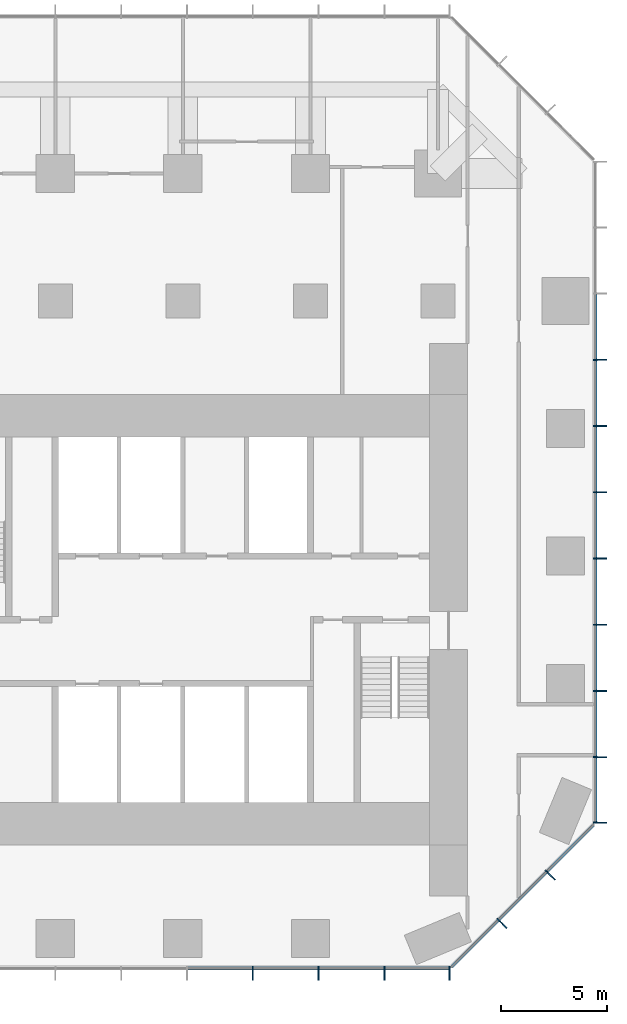
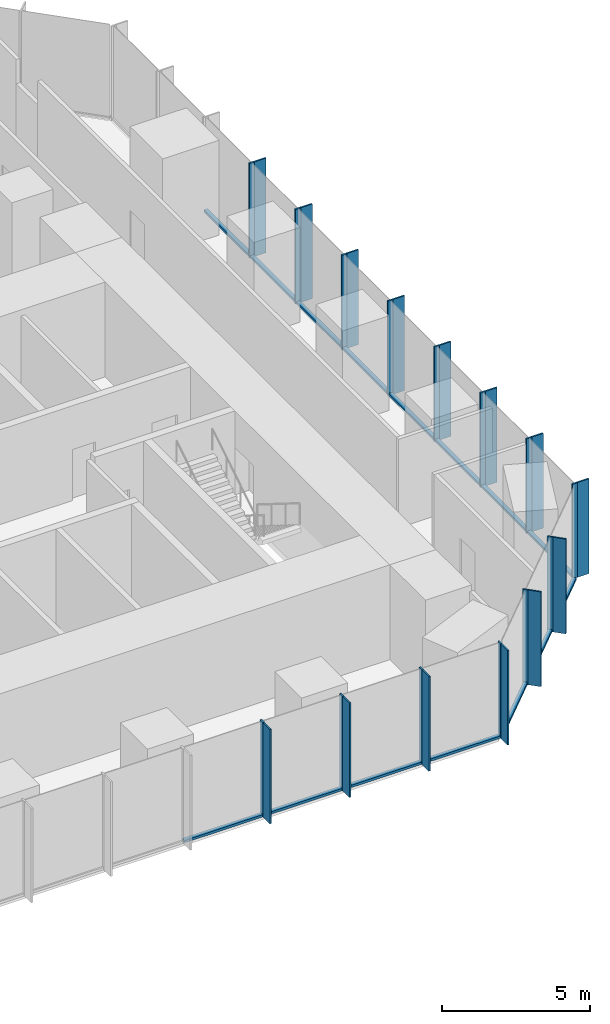
# One storey, part 4 of 11: 43 members, 3 elements without a shape of their own.
"""IFC4 building model written with IfcOpenShell, lengths in metres."""

import ifcopenshell
import ifcopenshell.guid

model = None  # the IFC model being written
_history = None  # IfcOwnerHistory: only IFC2X3 demands one
_inside = {}  # id of a spatial element -> (the spatial element, [elements in it])
_under = {}  # id of a project, library or spatial element -> (it, [spatial elements below it])
_declared = {}  # id of a project -> (the project, [libraries it declares])
_typed = {}  # id of a type object -> (the type object, [elements of that type])
_made_of = {}  # id of a material, layer set ... -> (it, [elements and type objects made of it])


def new_model(schema):
    """Start an empty IFC model of exactly this schema.

    Asked for "IFC4X3", IfcOpenShell would pick the latest addendum, in which some entities
    have other attributes; the version numbers below select the first issue.
    IFC2X3 requires an IfcOwnerHistory on every rooted entity: one is made here for all.
    """
    global model, _history
    if schema == "IFC4X3":
        model = ifcopenshell.file(schema_version=(4, 3, 0, 0))
    else:
        model = ifcopenshell.file(schema=schema)
    _inside.clear()
    _under.clear()
    _declared.clear()
    _typed.clear()
    _made_of.clear()
    _history = None
    if model.schema == "IFC2X3":
        org = make("IfcOrganization", Name="unknown")
        user = make(
            "IfcPersonAndOrganization",
            ThePerson=make("IfcPerson", FamilyName="unknown"),
            TheOrganization=org,
        )
        app = make(
            "IfcApplication",
            ApplicationDeveloper=org,
            Version="unknown",
            ApplicationFullName="unknown",
            ApplicationIdentifier="unknown",
        )
        _history = make(
            "IfcOwnerHistory",
            OwningUser=user,
            OwningApplication=app,
            ChangeAction="ADDED",
            CreationDate=0,
        )
    return model


def make(cls, **values):
    """One entity of the class cls with the attributes given. An attribute that is None is left unset."""
    return model.create_entity(
        cls, **{name: value for name, value in values.items() if value is not None}
    )


def rooted(cls, **values):
    """An entity with a GlobalId (a new one), such as an element, a storey or a relation."""
    return make(cls, GlobalId=ifcopenshell.guid.new(), OwnerHistory=_history, **values)


def si_unit(unit_type, name, prefix=None):
    """IfcSIUnit, for example si_unit("LENGTHUNIT", "METRE", prefix="MILLI")."""
    return make("IfcSIUnit", UnitType=unit_type, Prefix=prefix, Name=name)


def assignment(units):
    """IfcUnitAssignment: the units of a project."""
    return None if units is None else make("IfcUnitAssignment", Units=units)


def point(xyz):
    """IfcCartesianPoint."""
    return None if xyz is None else make("IfcCartesianPoint", Coordinates=xyz)


def direction(xyz):
    """IfcDirection."""
    return None if xyz is None else make("IfcDirection", DirectionRatios=xyz)


def frame(location, z_axis=None, x_axis=None):
    """IfcAxis2Placement3D, a coordinate frame: its origin and axes. An axis left out is left unset."""
    return make(
        "IfcAxis2Placement3D",
        Location=point(location),
        Axis=direction(z_axis),
        RefDirection=direction(x_axis),
    )


def frame_2d(location, x_axis=None):
    """IfcAxis2Placement2D, a coordinate frame in the plane: its origin and x axis."""
    return make(
        "IfcAxis2Placement2D", Location=point(location), RefDirection=direction(x_axis)
    )


def origin():
    """The frame at (0, 0, 0) with its axes left unset."""
    return frame((0.0, 0.0, 0.0))


def origin_2d():
    """The frame at (0, 0) in the plane with its x axis left unset."""
    return frame_2d((0.0, 0.0))


def place(relative_to, where):
    """IfcLocalPlacement: puts the frame where relative to a parent placement (None: the world)."""
    return make(
        "IfcLocalPlacement", PlacementRelTo=relative_to, RelativePlacement=where
    )


def context(
    kind, dimensions, precision=None, world=None, true_north=None, identifier=None
):
    """IfcGeometricRepresentationContext, for example the 3D "Model" context."""
    return make(
        "IfcGeometricRepresentationContext",
        ContextIdentifier=identifier,
        ContextType=kind,
        CoordinateSpaceDimension=dimensions,
        Precision=precision,
        WorldCoordinateSystem=world,
        TrueNorth=true_north,
    )


def subcontext(parent, identifier, kind, view, scale=None):
    """IfcGeometricRepresentationSubContext, for example "Body" below "Model"."""
    return make(
        "IfcGeometricRepresentationSubContext",
        ContextIdentifier=identifier,
        ContextType=kind,
        ParentContext=parent,
        TargetScale=scale,
        TargetView=view,
    )


def project(units=None, contexts=None):
    """IfcProject with its units and contexts."""
    return rooted(
        "IfcProject",
        Name="project",
        RepresentationContexts=contexts,
        UnitsInContext=assignment(units),
    )


def spatial(cls, under=None, at=None, **own):
    """A site, building, storey or space (cls), placed at a placement, below another one or the project."""
    s = rooted(cls, ObjectPlacement=at, **own)
    if under is not None:
        _under.setdefault(under.id(), (under, []))[1].append(s)
    return s


def profile(cls, at=None, kind="AREA", **sizes):
    """A parametric profile (cls). Its sizes go by their IFC names, for example OverallWidth=200.0."""
    return make(cls, ProfileType=kind, Position=at, **sizes)


def rectangle(**sizes):
    """IfcRectangleProfileDef."""
    return profile("IfcRectangleProfileDef", **sizes)


def extrude(swept, where, along, depth):
    """IfcExtrudedAreaSolid: the profile swept, set in the frame where, extruded along a direction by depth."""
    return make(
        "IfcExtrudedAreaSolid",
        SweptArea=swept,
        Position=where,
        ExtrudedDirection=direction(along),
        Depth=depth,
    )


def shape(context_of_items, identifier, shape_type, items):
    """IfcShapeRepresentation: the items that make up one representation, for example the "Body"."""
    return make(
        "IfcShapeRepresentation",
        ContextOfItems=context_of_items,
        RepresentationIdentifier=identifier,
        RepresentationType=shape_type,
        Items=items,
    )


def material(Name=None, Category=None):
    """IfcMaterial."""
    return make("IfcMaterial", Name=Name, Category=Category)


def layer(
    of_material, thickness, ventilated=None, Name=None, Category=None, Priority=None
):
    """IfcMaterialLayer: one layer of a wall or slab, of a material (None: an air gap)."""
    return make(
        "IfcMaterialLayer",
        Material=of_material,
        LayerThickness=thickness,
        IsVentilated=ventilated,
        Name=Name,
        Category=Category,
        Priority=Priority,
    )


def layer_set(layers, Name=None):
    """IfcMaterialLayerSet."""
    return make("IfcMaterialLayerSet", MaterialLayers=layers, LayerSetName=Name)


def material_profile(
    of_material, cross_section, Name=None, Category=None, Priority=None
):
    """IfcMaterialProfile: a cross section and its material."""
    return make(
        "IfcMaterialProfile",
        Name=Name,
        Material=of_material,
        Profile=cross_section,
        Priority=Priority,
        Category=Category,
    )


def profile_set(profiles, Name=None, composite=None):
    """IfcMaterialProfileSet."""
    return make(
        "IfcMaterialProfileSet",
        Name=Name,
        MaterialProfiles=profiles,
        CompositeProfile=composite,
    )


def made_of(thing, what):
    """Note that an element or type object is made of a material, layer set ...; save() writes the relation."""
    if what is not None:
        _made_of.setdefault(what.id(), (what, []))[1].append(thing)
    return thing


def type_object(cls, material=None, **own):
    """A type object (cls), such as IfcWallType, which elements share."""
    return made_of(rooted(cls, **own), material)


def element(
    cls,
    number,
    at=None,
    inside=None,
    cuts=None,
    type_object=None,
    material=None,
    context=None,
    identifier="Body",
    shape_type=None,
    held_by="IfcProductDefinitionShape",
    body=None,
    shapes=None,
    **own,
):
    """One element of the class cls, such as IfcWall. Its Tag is "e" and its number.

    at: its placement. inside: the storey or other place that contains it. cuts: it is an
    opening in that element (IfcRelVoidsElement). A single representation is given by context,
    identifier, shape_type and body (its items); several are given by shapes. held_by: the class
    of the entity that holds the representations. save() writes the other relations.
    """
    e = rooted(cls, Tag="e%d" % number, ObjectPlacement=at, **own)
    if body is not None:
        shapes = [shape(context, identifier, shape_type, body)]
    if shapes is not None:
        e.Representation = make(held_by, Representations=shapes)
    if inside is not None:
        _inside.setdefault(inside.id(), (inside, []))[1].append(e)
    if cuts is not None:
        rooted(
            "IfcRelVoidsElement", RelatingBuildingElement=cuts, RelatedOpeningElement=e
        )
    if type_object is not None:
        _typed.setdefault(type_object.id(), (type_object, []))[1].append(e)
    return made_of(e, material)


def aggregate(whole, parts):
    """IfcRelAggregates: a whole, such as a stair, and the parts it consists of."""
    return rooted("IfcRelAggregates", RelatingObject=whole, RelatedObjects=parts)


def save(model, path):
    """Write the relations noted so far, then the file.

    IfcRelAggregates (storeys below a building ...), IfcRelContainedInSpatialStructure (elements
    in a storey), IfcRelDefinesByType, IfcRelAssociatesMaterial and IfcRelDeclares: one each for
    every whole, place, type object, material and project.
    """
    for whole, parts in _under.values():
        aggregate(whole, parts)
    for where, things in _inside.values():
        rooted(
            "IfcRelContainedInSpatialStructure",
            RelatedElements=things,
            RelatingStructure=where,
        )
    for kind, things in _typed.values():
        rooted("IfcRelDefinesByType", RelatedObjects=things, RelatingType=kind)
    for what, things in _made_of.values():
        rooted("IfcRelAssociatesMaterial", RelatedObjects=things, RelatingMaterial=what)
    for by, libraries in _declared.values():
        rooted("IfcRelDeclares", RelatingContext=by, RelatedDefinitions=libraries)
    model.write(path)


model = new_model("IFC4")

# Units and contexts
model_context = context("Model", 3, precision=1e-05, world=origin(), true_north=direction((0.0, 1.0)))
body_context = subcontext(model_context, "Body", "Model", "MODEL_VIEW")
ifc_project = project(units=[si_unit("LENGTHUNIT", "METRE"), si_unit("AREAUNIT", "SQUARE_METRE"), si_unit("VOLUMEUNIT", "CUBIC_METRE"), si_unit("PLANEANGLEUNIT", "RADIAN"), si_unit("MASSUNIT", "GRAM", prefix="KILO")], contexts=[model_context])

# Site, building, storey
site_placement = place(None, origin())
site = spatial("IfcSite", under=ifc_project, at=site_placement, CompositionType="ELEMENT")
building_placement = place(site_placement, origin())
building = spatial("IfcBuilding", under=site, at=building_placement, Name="Highveld Stack Headquarters", CompositionType="ELEMENT")
storey_placement = place(building_placement, frame((0.0, 0.0, 97.699951171875)))
storey = spatial("IfcBuildingStorey", under=building, at=storey_placement, Name="L23", CompositionType="ELEMENT", Elevation=97.699951171875)

# Curtain wall, members
ifc_material_1 = material(Name="Aluminium bronze anodised", Category="aluminium")
ifc_layer_1 = layer(ifc_material_1, 0.199951171875)
ifc_layer_set_1 = layer_set([ifc_layer_1], Name="Aluminium bronze anodised")
curtain_wall_type_1 = type_object("IfcCurtainWallType", Name="CW1 TOWER UNITISED CURTAIN WALL", PredefinedType="NOTDEFINED", material=ifc_layer_set_1)
curtain_wall_1_placement = place(storey_placement, origin())
curtain_wall_1 = element("IfcCurtainWall", 1, at=curtain_wall_1_placement, inside=storey, type_object=curtain_wall_type_1, Name="Curtain wall CW1 L23 S", PredefinedType="NOTDEFINED")
ifc_material_2 = material(Name="Aluminium bronze anodised", Category="aluminium")
ifc_material_profile_1 = material_profile(ifc_material_2, rectangle(XDim=0.449951171875, YDim=0.06005859375, at=origin_2d()), Name="FIN 450x60")
ifc_profile_set_1 = profile_set([ifc_material_profile_1], Name="Aluminium bronze anodised")
member_type_1 = type_object("IfcMemberType", Name="CW1 BRONZE FIN 450x60", PredefinedType="USERDEFINED", material=ifc_profile_set_1)
member_1_placement = place(storey_placement, frame((9.2900390625, -13.72509765625, 0.0), z_axis=(0.0, 0.0, 1.0), x_axis=(0.0, 1.0, 0.0)))
member_1 = element("IfcMember", 2, at=member_1_placement, type_object=member_type_1, Name="CW1 fin L23 10", ObjectType="FIN", PredefinedType="USERDEFINED", context=body_context, shape_type="SweptSolid", body=[
    extrude(rectangle(XDim=0.449951171875, YDim=0.06005859375, at=origin_2d()), origin(), (0.0, 0.0, 1.0), 3.900146484375),
])
member_2_placement = place(storey_placement, frame((12.38671875, -13.72509765625, 0.0), z_axis=(0.0, 0.0, 1.0), x_axis=(0.0, 1.0, 0.0)))
member_2 = element("IfcMember", 3, at=member_2_placement, type_object=member_type_1, Name="CW1 fin L23 11", ObjectType="FIN", PredefinedType="USERDEFINED", context=body_context, shape_type="SweptSolid", body=[
    extrude(rectangle(XDim=0.449951171875, YDim=0.06005859375, at=origin_2d()), origin(), (0.0, 0.0, 1.0), 3.900146484375),
])
member_3_placement = place(storey_placement, frame((15.4833984375, -13.72509765625, 0.0), z_axis=(0.0, 0.0, 1.0), x_axis=(0.0, 1.0, 0.0)))
member_3 = element("IfcMember", 4, at=member_3_placement, type_object=member_type_1, Name="CW1 fin L23 12", ObjectType="FIN", PredefinedType="USERDEFINED", context=body_context, shape_type="SweptSolid", body=[
    extrude(rectangle(XDim=0.449951171875, YDim=0.06005859375, at=origin_2d()), origin(), (0.0, 0.0, 1.0), 3.900146484375),
])
member_4_placement = place(storey_placement, frame((18.54736328125, -13.72509765625, 0.0), z_axis=(0.0, 0.0, 1.0), x_axis=(0.0, 1.0, 0.0)))
member_4 = element("IfcMember", 5, at=member_4_placement, type_object=member_type_1, Name="CW1 fin L23 13", ObjectType="FIN", PredefinedType="USERDEFINED", context=body_context, shape_type="SweptSolid", body=[
    extrude(rectangle(XDim=0.449951171875, YDim=0.06005859375, at=origin_2d()), origin(), (0.0, 0.0, 1.0), 3.900146484375),
])

curtain_wall_2_placement = place(storey_placement, origin())
curtain_wall_2 = element("IfcCurtainWall", 6, at=curtain_wall_2_placement, inside=storey, type_object=curtain_wall_type_1, Name="Curtain wall CW1 L23 E", PredefinedType="NOTDEFINED")
member_5_placement = place(storey_placement, frame((25.72509765625, -6.54736328125, 0.0), z_axis=(0.0, 0.0, 1.0), x_axis=(-1.0, 0.0, 0.0)))
member_5 = element("IfcMember", 7, at=member_5_placement, type_object=member_type_1, Name="CW1 fin L23 1", ObjectType="FIN", PredefinedType="USERDEFINED", context=body_context, shape_type="SweptSolid", body=[
    extrude(rectangle(XDim=0.449951171875, YDim=0.06005859375, at=origin_2d()), origin(), (0.0, 0.0, 1.0), 3.900146484375),
])
member_6_placement = place(storey_placement, frame((25.72509765625, -3.4638671875, 0.0), z_axis=(0.0, 0.0, 1.0), x_axis=(-1.0, 0.0, 0.0)))
member_6 = element("IfcMember", 8, at=member_6_placement, type_object=member_type_1, Name="CW1 fin L23 2", ObjectType="FIN", PredefinedType="USERDEFINED", context=body_context, shape_type="SweptSolid", body=[
    extrude(rectangle(XDim=0.449951171875, YDim=0.06005859375, at=origin_2d()), origin(), (0.0, 0.0, 1.0), 3.900146484375),
])
member_7_placement = place(storey_placement, frame((25.72509765625, -0.347900390625, 0.0), z_axis=(0.0, 0.0, 1.0), x_axis=(-1.0, 0.0, 0.0)))
member_7 = element("IfcMember", 9, at=member_7_placement, type_object=member_type_1, Name="CW1 fin L23 3", ObjectType="FIN", PredefinedType="USERDEFINED", context=body_context, shape_type="SweptSolid", body=[
    extrude(rectangle(XDim=0.449951171875, YDim=0.06005859375, at=origin_2d()), origin(), (0.0, 0.0, 1.0), 3.900146484375),
])
member_8_placement = place(storey_placement, frame((25.72509765625, 2.76806640625, 0.0), z_axis=(0.0, 0.0, 1.0), x_axis=(-1.0, 0.0, 0.0)))
member_8 = element("IfcMember", 10, at=member_8_placement, type_object=member_type_1, Name="CW1 fin L23 4", ObjectType="FIN", PredefinedType="USERDEFINED", context=body_context, shape_type="SweptSolid", body=[
    extrude(rectangle(XDim=0.449951171875, YDim=0.06005859375, at=origin_2d()), origin(), (0.0, 0.0, 1.0), 3.900146484375),
])
member_9_placement = place(storey_placement, frame((25.72509765625, 5.884033203125, 0.0), z_axis=(0.0, 0.0, 1.0), x_axis=(-1.0, 0.0, 0.0)))
member_9 = element("IfcMember", 11, at=member_9_placement, type_object=member_type_1, Name="CW1 fin L23 5", ObjectType="FIN", PredefinedType="USERDEFINED", context=body_context, shape_type="SweptSolid", body=[
    extrude(rectangle(XDim=0.449951171875, YDim=0.06005859375, at=origin_2d()), origin(), (0.0, 0.0, 1.0), 3.900146484375),
])
member_10_placement = place(storey_placement, frame((25.72509765625, 9.0, 0.0), z_axis=(0.0, 0.0, 1.0), x_axis=(-1.0, 0.0, 0.0)))
member_10 = element("IfcMember", 12, at=member_10_placement, type_object=member_type_1, Name="CW1 fin L23 6", ObjectType="FIN", PredefinedType="USERDEFINED", context=body_context, shape_type="SweptSolid", body=[
    extrude(rectangle(XDim=0.449951171875, YDim=0.06005859375, at=origin_2d()), origin(), (0.0, 0.0, 1.0), 3.900146484375),
])
member_11_placement = place(storey_placement, frame((25.72509765625, 12.115966796875, 0.0), z_axis=(0.0, 0.0, 1.0), x_axis=(-1.0, 0.0, 0.0)))
member_11 = element("IfcMember", 13, at=member_11_placement, type_object=member_type_1, Name="CW1 fin L23 7", ObjectType="FIN", PredefinedType="USERDEFINED", context=body_context, shape_type="SweptSolid", body=[
    extrude(rectangle(XDim=0.449951171875, YDim=0.06005859375, at=origin_2d()), origin(), (0.0, 0.0, 1.0), 3.900146484375),
])
member_12_placement = place(storey_placement, frame((25.72509765625, 15.23193359375, 0.0), z_axis=(0.0, 0.0, 1.0), x_axis=(-1.0, 0.0, 0.0)))
member_12 = element("IfcMember", 14, at=member_12_placement, type_object=member_type_1, Name="CW1 fin L23 8", ObjectType="FIN", PredefinedType="USERDEFINED", context=body_context, shape_type="SweptSolid", body=[
    extrude(rectangle(XDim=0.449951171875, YDim=0.06005859375, at=origin_2d()), origin(), (0.0, 0.0, 1.0), 3.900146484375),
])

# Member
ifc_material_3 = material(Name="Aluminium bronze anodised", Category="aluminium")
ifc_material_profile_2 = material_profile(ifc_material_3, rectangle(XDim=0.199951171875, YDim=0.06494140625, at=origin_2d()), Name="CW1 MULLION 65x200")
ifc_profile_set_2 = profile_set([ifc_material_profile_2], Name="Aluminium bronze anodised")
member_type_2 = type_object("IfcMemberType", Name="CW1 MULLION 65x200", PredefinedType="MULLION", material=ifc_profile_set_2)
member_13_placement = place(storey_placement, frame((9.2900390625, -13.39990234375, 0.0), z_axis=(0.0, 0.0, 1.0), x_axis=(0.0, 1.0, 0.0)))
member_13 = element("IfcMember", 15, at=member_13_placement, type_object=member_type_2, Name="CW1 mullion L23 10", PredefinedType="MULLION", context=body_context, shape_type="SweptSolid", body=[
    extrude(rectangle(XDim=0.199951171875, YDim=0.06494140625, at=origin_2d()), origin(), (0.0, 0.0, 1.0), 3.900146484375),
])

member_14_placement = place(storey_placement, frame((12.38671875, -13.39990234375, 0.0), z_axis=(0.0, 0.0, 1.0), x_axis=(0.0, 1.0, 0.0)))
member_14 = element("IfcMember", 16, at=member_14_placement, type_object=member_type_2, Name="CW1 mullion L23 11", PredefinedType="MULLION", context=body_context, shape_type="SweptSolid", body=[
    extrude(rectangle(XDim=0.199951171875, YDim=0.06494140625, at=origin_2d()), origin(), (0.0, 0.0, 1.0), 3.900146484375),
])

member_15_placement = place(storey_placement, frame((15.4833984375, -13.39990234375, 0.0), z_axis=(0.0, 0.0, 1.0), x_axis=(0.0, 1.0, 0.0)))
member_15 = element("IfcMember", 17, at=member_15_placement, type_object=member_type_2, Name="CW1 mullion L23 12", PredefinedType="MULLION", context=body_context, shape_type="SweptSolid", body=[
    extrude(rectangle(XDim=0.199951171875, YDim=0.06494140625, at=origin_2d()), origin(), (0.0, 0.0, 1.0), 3.900146484375),
])

member_16_placement = place(storey_placement, frame((18.54736328125, -13.39990234375, 0.0), z_axis=(0.0, 0.0, 1.0), x_axis=(0.0, 1.0, 0.0)))
member_16 = element("IfcMember", 18, at=member_16_placement, type_object=member_type_2, Name="CW1 mullion L23 13", PredefinedType="MULLION", context=body_context, shape_type="SweptSolid", body=[
    extrude(rectangle(XDim=0.199951171875, YDim=0.06494140625, at=origin_2d()), origin(), (0.0, 0.0, 1.0), 3.900146484375),
])

member_17_placement = place(storey_placement, frame((25.39990234375, -6.54736328125, 0.0), z_axis=(0.0, 0.0, 1.0), x_axis=(-1.0, 0.0, 0.0)))
member_17 = element("IfcMember", 19, at=member_17_placement, type_object=member_type_2, Name="CW1 mullion L23 1", PredefinedType="MULLION", context=body_context, shape_type="SweptSolid", body=[
    extrude(rectangle(XDim=0.199951171875, YDim=0.06494140625, at=origin_2d()), origin(), (0.0, 0.0, 1.0), 3.900146484375),
])

member_18_placement = place(storey_placement, frame((25.39990234375, -3.4638671875, 0.0), z_axis=(0.0, 0.0, 1.0), x_axis=(-1.0, 0.0, 0.0)))
member_18 = element("IfcMember", 20, at=member_18_placement, type_object=member_type_2, Name="CW1 mullion L23 2", PredefinedType="MULLION", context=body_context, shape_type="SweptSolid", body=[
    extrude(rectangle(XDim=0.199951171875, YDim=0.06494140625, at=origin_2d()), origin(), (0.0, 0.0, 1.0), 3.900146484375),
])

member_19_placement = place(storey_placement, frame((25.39990234375, -0.347900390625, 0.0), z_axis=(0.0, 0.0, 1.0), x_axis=(-1.0, 0.0, 0.0)))
member_19 = element("IfcMember", 21, at=member_19_placement, type_object=member_type_2, Name="CW1 mullion L23 3", PredefinedType="MULLION", context=body_context, shape_type="SweptSolid", body=[
    extrude(rectangle(XDim=0.199951171875, YDim=0.06494140625, at=origin_2d()), origin(), (0.0, 0.0, 1.0), 3.900146484375),
])

member_20_placement = place(storey_placement, frame((25.39990234375, 2.76806640625, 0.0), z_axis=(0.0, 0.0, 1.0), x_axis=(-1.0, 0.0, 0.0)))
member_20 = element("IfcMember", 22, at=member_20_placement, type_object=member_type_2, Name="CW1 mullion L23 4", PredefinedType="MULLION", context=body_context, shape_type="SweptSolid", body=[
    extrude(rectangle(XDim=0.199951171875, YDim=0.06494140625, at=origin_2d()), origin(), (0.0, 0.0, 1.0), 3.900146484375),
])

member_21_placement = place(storey_placement, frame((25.39990234375, 5.884033203125, 0.0), z_axis=(0.0, 0.0, 1.0), x_axis=(-1.0, 0.0, 0.0)))
member_21 = element("IfcMember", 23, at=member_21_placement, type_object=member_type_2, Name="CW1 mullion L23 5", PredefinedType="MULLION", context=body_context, shape_type="SweptSolid", body=[
    extrude(rectangle(XDim=0.199951171875, YDim=0.06494140625, at=origin_2d()), origin(), (0.0, 0.0, 1.0), 3.900146484375),
])

member_22_placement = place(storey_placement, frame((25.39990234375, 9.0, 0.0), z_axis=(0.0, 0.0, 1.0), x_axis=(-1.0, 0.0, 0.0)))
member_22 = element("IfcMember", 24, at=member_22_placement, type_object=member_type_2, Name="CW1 mullion L23 6", PredefinedType="MULLION", context=body_context, shape_type="SweptSolid", body=[
    extrude(rectangle(XDim=0.199951171875, YDim=0.06494140625, at=origin_2d()), origin(), (0.0, 0.0, 1.0), 3.900146484375),
])

member_23_placement = place(storey_placement, frame((25.39990234375, 12.115966796875, 0.0), z_axis=(0.0, 0.0, 1.0), x_axis=(-1.0, 0.0, 0.0)))
member_23 = element("IfcMember", 25, at=member_23_placement, type_object=member_type_2, Name="CW1 mullion L23 7", PredefinedType="MULLION", context=body_context, shape_type="SweptSolid", body=[
    extrude(rectangle(XDim=0.199951171875, YDim=0.06494140625, at=origin_2d()), origin(), (0.0, 0.0, 1.0), 3.900146484375),
])

member_24_placement = place(storey_placement, frame((25.39990234375, 15.23193359375, 0.0), z_axis=(0.0, 0.0, 1.0), x_axis=(-1.0, 0.0, 0.0)))
member_24 = element("IfcMember", 26, at=member_24_placement, type_object=member_type_2, Name="CW1 mullion L23 8", PredefinedType="MULLION", context=body_context, shape_type="SweptSolid", body=[
    extrude(rectangle(XDim=0.199951171875, YDim=0.06494140625, at=origin_2d()), origin(), (0.0, 0.0, 1.0), 3.900146484375),
])

ifc_material_4 = material(Name="Aluminium bronze anodised", Category="aluminium")
ifc_material_profile_3 = material_profile(ifc_material_4, rectangle(XDim=0.14990234375, YDim=0.10009765625, at=origin_2d()), Name="CW1 TRANSOM 150x100")
ifc_profile_set_3 = profile_set([ifc_material_profile_3], Name="Aluminium bronze anodised")
member_type_3 = type_object("IfcMemberType", Name="CW1 STACK TRANSOM 150x100", PredefinedType="USERDEFINED", material=ifc_profile_set_3)
member_25_placement = place(storey_placement, frame((6.225830078125, -13.39990234375, 0.050048828125), z_axis=(1.0, 0.0, 0.0), x_axis=(0.0, 1.0, 0.0)))
member_25 = element("IfcMember", 27, at=member_25_placement, type_object=member_type_3, Name="CW1 transom L23 9.1", ObjectType="TRANSOM", PredefinedType="USERDEFINED", context=body_context, shape_type="SweptSolid", body=[
    extrude(rectangle(XDim=0.14990234375, YDim=0.10009765625, at=origin_2d()), origin(), (0.0, 0.0, 1.0), 3.03173828125),
])

member_26_placement = place(storey_placement, frame((9.322509765625, -13.39990234375, 0.050048828125), z_axis=(1.0, 0.0, 0.0), x_axis=(0.0, 1.0, 0.0)))
member_26 = element("IfcMember", 28, at=member_26_placement, type_object=member_type_3, Name="CW1 transom L23 10.1", ObjectType="TRANSOM", PredefinedType="USERDEFINED", context=body_context, shape_type="SweptSolid", body=[
    extrude(rectangle(XDim=0.14990234375, YDim=0.10009765625, at=origin_2d()), origin(), (0.0, 0.0, 1.0), 3.031494140625),
])

member_27_placement = place(storey_placement, frame((12.419189453125, -13.39990234375, 0.050048828125), z_axis=(1.0, 0.0, 0.0), x_axis=(0.0, 1.0, 0.0)))
member_27 = element("IfcMember", 29, at=member_27_placement, type_object=member_type_3, Name="CW1 transom L23 11.1", ObjectType="TRANSOM", PredefinedType="USERDEFINED", context=body_context, shape_type="SweptSolid", body=[
    extrude(rectangle(XDim=0.14990234375, YDim=0.10009765625, at=origin_2d()), origin(), (0.0, 0.0, 1.0), 3.031494140625),
])

member_28_placement = place(storey_placement, frame((15.515869140625, -13.39990234375, 0.050048828125), z_axis=(1.0, 0.0, 0.0), x_axis=(0.0, 1.0, 0.0)))
member_28 = element("IfcMember", 30, at=member_28_placement, type_object=member_type_3, Name="CW1 transom L23 12.1", ObjectType="TRANSOM", PredefinedType="USERDEFINED", context=body_context, shape_type="SweptSolid", body=[
    extrude(rectangle(XDim=0.14990234375, YDim=0.10009765625, at=origin_2d()), origin(), (0.0, 0.0, 1.0), 2.9990234375),
])

aggregate(curtain_wall_1, [member_13, member_1, member_14, member_2, member_15, member_3, member_16, member_4, member_25, member_26, member_27, member_28])

member_29_placement = place(storey_placement, frame((25.39990234375, -6.514892578125, 0.050048828125), z_axis=(0.0, 1.0, 0.0), x_axis=(-1.0, 0.0, 0.0)))
member_29 = element("IfcMember", 31, at=member_29_placement, type_object=member_type_3, Name="CW1 transom L23 1.1", ObjectType="TRANSOM", PredefinedType="USERDEFINED", context=body_context, shape_type="SweptSolid", body=[
    extrude(rectangle(XDim=0.14990234375, YDim=0.10009765625, at=origin_2d()), origin(), (0.0, 0.0, 1.0), 3.0185546875),
])

member_30_placement = place(storey_placement, frame((25.39990234375, -3.431396484375, 0.050048828125), z_axis=(0.0, 1.0, 0.0), x_axis=(-1.0, 0.0, 0.0)))
member_30 = element("IfcMember", 32, at=member_30_placement, type_object=member_type_3, Name="CW1 transom L23 2.1", ObjectType="TRANSOM", PredefinedType="USERDEFINED", context=body_context, shape_type="SweptSolid", body=[
    extrude(rectangle(XDim=0.14990234375, YDim=0.10009765625, at=origin_2d()), origin(), (0.0, 0.0, 1.0), 3.051025390625),
])

member_31_placement = place(storey_placement, frame((25.39990234375, -0.3154296875, 0.050048828125), z_axis=(0.0, 1.0, 0.0), x_axis=(-1.0, 0.0, 0.0)))
member_31 = element("IfcMember", 33, at=member_31_placement, type_object=member_type_3, Name="CW1 transom L23 3.1", ObjectType="TRANSOM", PredefinedType="USERDEFINED", context=body_context, shape_type="SweptSolid", body=[
    extrude(rectangle(XDim=0.14990234375, YDim=0.10009765625, at=origin_2d()), origin(), (0.0, 0.0, 1.0), 3.051025390625),
])

member_32_placement = place(storey_placement, frame((25.39990234375, 2.800537109375, 0.050048828125), z_axis=(0.0, 1.0, 0.0), x_axis=(-1.0, 0.0, 0.0)))
member_32 = element("IfcMember", 34, at=member_32_placement, type_object=member_type_3, Name="CW1 transom L23 4.1", ObjectType="TRANSOM", PredefinedType="USERDEFINED", context=body_context, shape_type="SweptSolid", body=[
    extrude(rectangle(XDim=0.14990234375, YDim=0.10009765625, at=origin_2d()), origin(), (0.0, 0.0, 1.0), 3.051025390625),
])

member_33_placement = place(storey_placement, frame((25.39990234375, 5.91650390625, 0.050048828125), z_axis=(0.0, 1.0, 0.0), x_axis=(-1.0, 0.0, 0.0)))
member_33 = element("IfcMember", 35, at=member_33_placement, type_object=member_type_3, Name="CW1 transom L23 5.1", ObjectType="TRANSOM", PredefinedType="USERDEFINED", context=body_context, shape_type="SweptSolid", body=[
    extrude(rectangle(XDim=0.14990234375, YDim=0.10009765625, at=origin_2d()), origin(), (0.0, 0.0, 1.0), 3.051025390625),
])

member_34_placement = place(storey_placement, frame((25.39990234375, 9.032470703125, 0.050048828125), z_axis=(0.0, 1.0, 0.0), x_axis=(-1.0, 0.0, 0.0)))
member_34 = element("IfcMember", 36, at=member_34_placement, type_object=member_type_3, Name="CW1 transom L23 6.1", ObjectType="TRANSOM", PredefinedType="USERDEFINED", context=body_context, shape_type="SweptSolid", body=[
    extrude(rectangle(XDim=0.14990234375, YDim=0.10009765625, at=origin_2d()), origin(), (0.0, 0.0, 1.0), 3.051025390625),
])

member_35_placement = place(storey_placement, frame((25.39990234375, 12.1484375, 0.050048828125), z_axis=(0.0, 1.0, 0.0), x_axis=(-1.0, 0.0, 0.0)))
member_35 = element("IfcMember", 37, at=member_35_placement, type_object=member_type_3, Name="CW1 transom L23 7.1", ObjectType="TRANSOM", PredefinedType="USERDEFINED", context=body_context, shape_type="SweptSolid", body=[
    extrude(rectangle(XDim=0.14990234375, YDim=0.10009765625, at=origin_2d()), origin(), (0.0, 0.0, 1.0), 3.051025390625),
])

member_36_placement = place(storey_placement, frame((25.39990234375, 15.264404296875, 0.050048828125), z_axis=(0.0, 1.0, 0.0), x_axis=(-1.0, 0.0, 0.0)))
member_36 = element("IfcMember", 38, at=member_36_placement, type_object=member_type_3, Name="CW1 transom L23 8.1", ObjectType="TRANSOM", PredefinedType="USERDEFINED", context=body_context, shape_type="SweptSolid", body=[
    extrude(rectangle(XDim=0.14990234375, YDim=0.10009765625, at=origin_2d()), origin(), (0.0, 0.0, 1.0), 3.051025390625),
])

aggregate(curtain_wall_2, [member_17, member_5, member_18, member_6, member_19, member_7, member_20, member_8, member_21, member_9, member_22, member_10, member_23, member_11, member_24, member_12, member_29, member_30, member_31, member_32, member_33, member_34, member_35, member_36])

# Curtain wall, members
ifc_material_5 = material(Name="Aluminium bronze anodised", Category="aluminium")
ifc_layer_2 = layer(ifc_material_5, 0.199951171875)
ifc_layer_set_2 = layer_set([ifc_layer_2], Name="Aluminium bronze anodised")
curtain_wall_type_2 = type_object("IfcCurtainWallType", Name="CW2 TOWER CHAMFER UNITISED CURTAIN WALL", PredefinedType="NOTDEFINED", material=ifc_layer_set_2)
curtain_wall_3_placement = place(storey_placement, origin())
curtain_wall_3 = element("IfcCurtainWall", 39, at=curtain_wall_3_placement, inside=storey, type_object=curtain_wall_type_2, Name="Curtain wall CW2 L23 SE", PredefinedType="NOTDEFINED")
ifc_material_6 = material(Name="Aluminium bronze anodised", Category="aluminium")
ifc_material_profile_4 = material_profile(ifc_material_6, rectangle(XDim=0.449951171875, YDim=0.06005859375, at=origin_2d()), Name="FIN 450x60")
ifc_profile_set_4 = profile_set([ifc_material_profile_4], Name="Aluminium bronze anodised")
member_type_4 = type_object("IfcMemberType", Name="CW2 BRONZE FIN 450x60", PredefinedType="USERDEFINED", material=ifc_profile_set_4)
member_37_placement = place(storey_placement, frame((21.0830078125, -11.3564453125, 0.0), z_axis=(0.0, 0.0, 1.0), x_axis=(-0.707106781187, 0.707106781187, 0.0)))
member_37 = element("IfcMember", 40, at=member_37_placement, type_object=member_type_4, Name="CW2 fin L23 1", ObjectType="FIN", PredefinedType="USERDEFINED", context=body_context, shape_type="SweptSolid", body=[
    extrude(rectangle(XDim=0.449951171875, YDim=0.06005859375, at=origin_2d()), origin(), (0.0, 0.0, 1.0), 3.900146484375),
])
member_38_placement = place(storey_placement, frame((23.3564453125, -9.0830078125, 0.0), z_axis=(0.0, 0.0, 1.0), x_axis=(-0.707106781187, 0.707106781187, 0.0)))
member_38 = element("IfcMember", 41, at=member_38_placement, type_object=member_type_4, Name="CW2 fin L23 2", ObjectType="FIN", PredefinedType="USERDEFINED", context=body_context, shape_type="SweptSolid", body=[
    extrude(rectangle(XDim=0.449951171875, YDim=0.06005859375, at=origin_2d()), origin(), (0.0, 0.0, 1.0), 3.900146484375),
])
ifc_material_7 = material(Name="Aluminium bronze anodised", Category="aluminium")
ifc_material_profile_5 = material_profile(ifc_material_7, rectangle(XDim=0.199951171875, YDim=0.06494140625, at=origin_2d()), Name="CW2 MULLION 65x200")
ifc_profile_set_5 = profile_set([ifc_material_profile_5], Name="Aluminium bronze anodised")
member_type_5 = type_object("IfcMemberType", Name="CW2 MULLION 65x200", PredefinedType="MULLION", material=ifc_profile_set_5)
member_39_placement = place(storey_placement, frame((20.853271484375, -11.126708984375, 0.0), z_axis=(0.0, 0.0, 1.0), x_axis=(-0.707106781187, 0.707106781187, 0.0)))
member_39 = element("IfcMember", 42, at=member_39_placement, type_object=member_type_5, Name="CW2 mullion L23 1", PredefinedType="MULLION", context=body_context, shape_type="SweptSolid", body=[
    extrude(rectangle(XDim=0.199951171875, YDim=0.06494140625, at=origin_2d()), origin(), (0.0, 0.0, 1.0), 3.900146484375),
])
member_40_placement = place(storey_placement, frame((23.126708984375, -8.853271484375, 0.0), z_axis=(0.0, 0.0, 1.0), x_axis=(-0.707106781187, 0.707106781187, 0.0)))
member_40 = element("IfcMember", 43, at=member_40_placement, type_object=member_type_5, Name="CW2 mullion L23 2", PredefinedType="MULLION", context=body_context, shape_type="SweptSolid", body=[
    extrude(rectangle(XDim=0.199951171875, YDim=0.06494140625, at=origin_2d()), origin(), (0.0, 0.0, 1.0), 3.900146484375),
])
ifc_material_8 = material(Name="Aluminium bronze anodised", Category="aluminium")
ifc_material_profile_6 = material_profile(ifc_material_8, rectangle(XDim=0.14990234375, YDim=0.10009765625, at=origin_2d()), Name="CW2 TRANSOM 150x100")
ifc_profile_set_6 = profile_set([ifc_material_profile_6], Name="Aluminium bronze anodised")
member_type_6 = type_object("IfcMemberType", Name="CW2 STACK TRANSOM 150x100", PredefinedType="USERDEFINED", material=ifc_profile_set_6)
member_41_placement = place(storey_placement, frame((18.650634765625, -13.329345703125, 0.050048828125), z_axis=(0.707106781187, 0.707106781187, 0.0), x_axis=(-0.707106781187, 0.707106781187, 0.0)))
member_41 = element("IfcMember", 44, at=member_41_placement, type_object=member_type_6, Name="CW2 transom L23 1.1", ObjectType="TRANSOM", PredefinedType="USERDEFINED", context=body_context, shape_type="SweptSolid", body=[
    extrude(rectangle(XDim=0.14990234375, YDim=0.10009765625, at=origin_2d()), origin(), (0.0, 0.0, 1.0), 3.08251953125),
])
member_42_placement = place(storey_placement, frame((20.876220703125, -11.103759765625, 0.050048828125), z_axis=(0.707106781187, 0.707106781187, 0.0), x_axis=(-0.707106781187, 0.707106781187, 0.0)))
member_42 = element("IfcMember", 45, at=member_42_placement, type_object=member_type_6, Name="CW2 transom L23 2.1", ObjectType="TRANSOM", PredefinedType="USERDEFINED", context=body_context, shape_type="SweptSolid", body=[
    extrude(rectangle(XDim=0.14990234375, YDim=0.10009765625, at=origin_2d()), origin(), (0.0, 0.0, 1.0), 3.150146484375),
])
member_43_placement = place(storey_placement, frame((23.149658203125, -8.830322265625, 0.050048828125), z_axis=(0.707106781187, 0.707106781187, 0.0), x_axis=(-0.707106781187, 0.707106781187, 0.0)))
member_43 = element("IfcMember", 46, at=member_43_placement, type_object=member_type_6, Name="CW2 transom L23 3.1", ObjectType="TRANSOM", PredefinedType="USERDEFINED", context=body_context, shape_type="SweptSolid", body=[
    extrude(rectangle(XDim=0.14990234375, YDim=0.10009765625, at=origin_2d()), origin(), (0.0, 0.0, 1.0), 3.08251953125),
])
aggregate(curtain_wall_3, [member_39, member_37, member_40, member_38, member_41, member_42, member_43])

save(model, "model.ifc")
